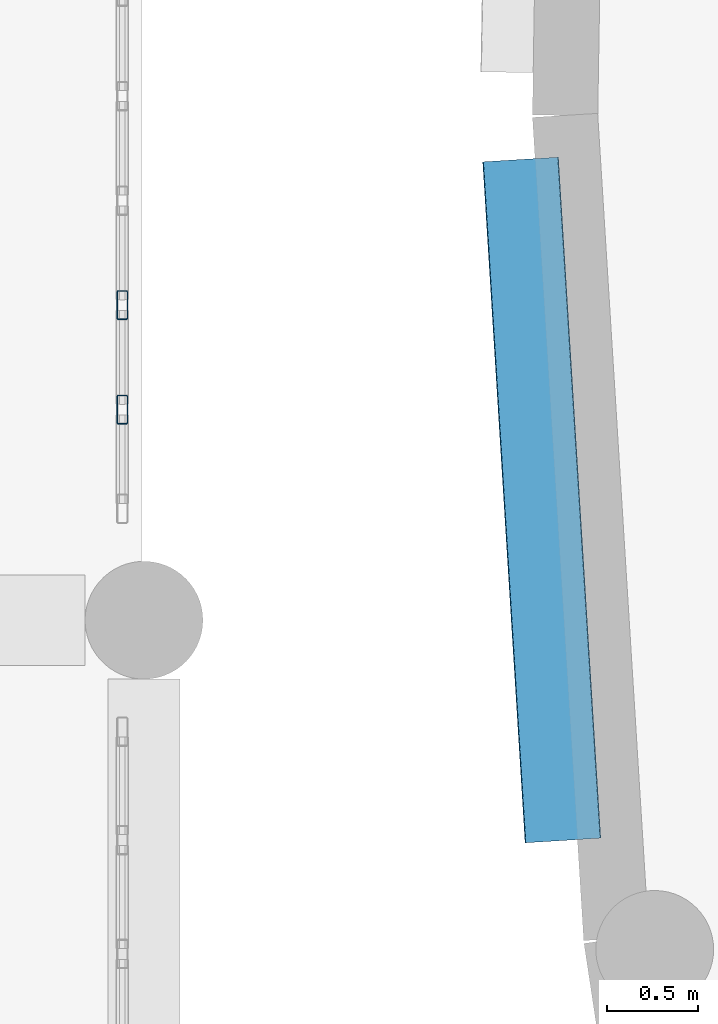
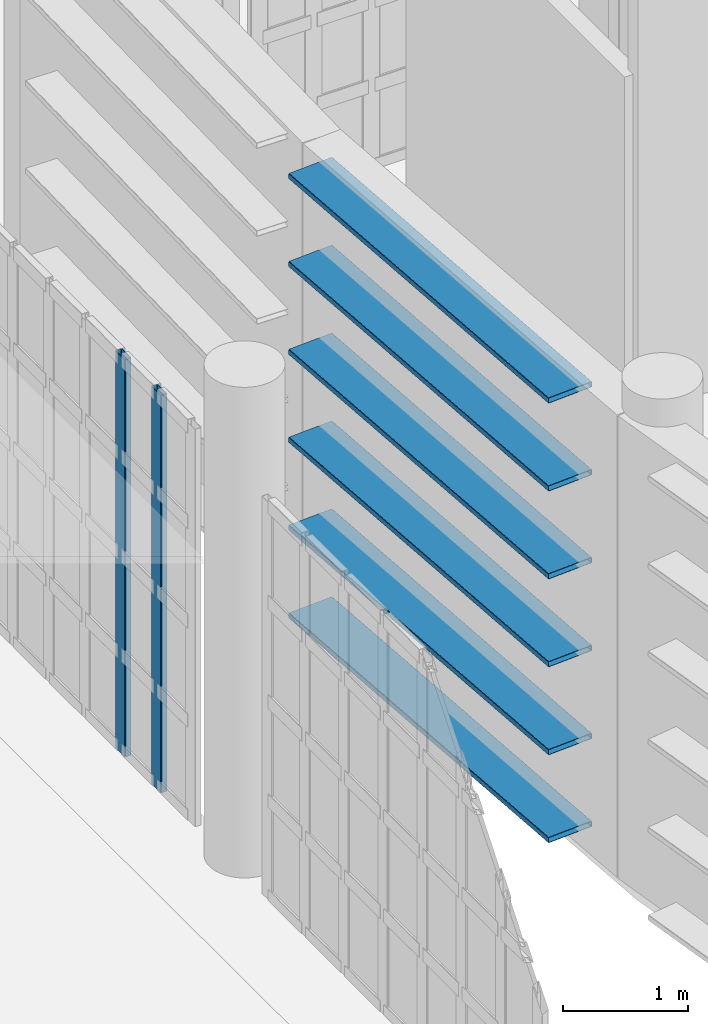
# One storey, part 26 of 104: 8 members, 1 element without a shape of its own.
"""IFC4 building model written with IfcOpenShell, lengths in metres."""

from ifc_helpers import new_model, si_unit, direction, frame, origin, origin_2d, place, context, subcontext, project, spatial, hollow_rectangle, extrude, material, material_profile, profile_set, type_object, element, aggregate, save


model = new_model("IFC4")

# Units and contexts
model_context = context("Model", 3, precision=1e-05, world=origin(), true_north=direction((0.0, 1.0)))
body_context = subcontext(model_context, "Body", "Model", "MODEL_VIEW")
ifc_project = project(units=[si_unit("LENGTHUNIT", "METRE"), si_unit("AREAUNIT", "SQUARE_METRE"), si_unit("VOLUMEUNIT", "CUBIC_METRE"), si_unit("PLANEANGLEUNIT", "RADIAN"), si_unit("MASSUNIT", "GRAM", prefix="KILO")], contexts=[model_context])

# Site, building, storey
site_placement = place(None, origin())
site = spatial("IfcSite", under=ifc_project, at=site_placement, CompositionType="ELEMENT")
building_placement = place(site_placement, origin())
building = spatial("IfcBuilding", under=site, at=building_placement, Name="Kaelora Sail Theatre", CompositionType="ELEMENT")
storey_placement = place(building_placement, frame((0.0, 0.0, 5.39990234375)))
storey = spatial("IfcBuildingStorey", under=building, at=storey_placement, Name="L01", CompositionType="ELEMENT", Elevation=5.39990234375)

# Members
ifc_material_1 = material(Name="Anodised aluminium 6063-T6", Category="aluminium")
ifc_material_profile_1 = material_profile(ifc_material_1, hollow_rectangle(XDim=0.419921875, YDim=0.054931640625, WallThickness=0.00390625, InnerFilletRadius=0.00390625, OuterFilletRadius=0.008056640625, at=origin_2d()), Name="LOUVRE 420x55x4")
ifc_profile_set_1 = profile_set([ifc_material_profile_1], Name="Anodised aluminium 6063-T6")
member_type_1 = type_object("IfcMemberType", Name="ARC-MEM-LVR-420", PredefinedType="USERDEFINED", material=ifc_profile_set_1)
for number, where, z_axis, x_axis, name in (
    (1, (76.7109375, 52.364990234375, 0.150146484375), (-0.062079432588, 0.998071211913, 0.0), (-0.998071211913, -0.062079432588, 0.0), "Studio Theatre Sail Drum horizontal solar louvre C19-06"),
    (2, (76.7109375, 52.364990234375, 1.010009765625), (-0.062079432588, 0.998071211913, 0.0), (-0.998071211913, -0.062079432588, 0.0), "Studio Theatre Sail Drum horizontal solar louvre C19-07"),
    (3, (76.7109375, 52.364990234375, 1.8701171875), (-0.062079432588, 0.998071211913, 0.0), (-0.998071211913, -0.062079432588, 0.0), "Studio Theatre Sail Drum horizontal solar louvre C19-08"),
    (4, (76.7109375, 52.364990234375, 2.72998046875), (-0.062079432588, 0.998071211913, 0.0), (-0.998071211913, -0.062079432588, 0.0), "Studio Theatre Sail Drum horizontal solar louvre C19-09"),
    (5, (76.7109375, 52.364990234375, 3.590087890625), (-0.062079432588, 0.998071211913, 0.0), (-0.998071211913, -0.062079432588, 0.0), "Studio Theatre Sail Drum horizontal solar louvre C19-10"),
    (6, (76.7109375, 52.364990234375, 4.4501953125), (-0.062079432588, 0.998071211913, 0.0), (-0.998071211913, -0.062079432588, 0.0), "Studio Theatre Sail Drum horizontal solar louvre C19-11"),
):
    element("IfcMember", number, at=place(storey_placement, frame(where, z_axis=z_axis, x_axis=x_axis)), inside=storey, type_object=member_type_1, Name=name, ObjectType="LOUVRE", PredefinedType="USERDEFINED", context=body_context, shape_type="SweptSolid", body=[
        extrude(hollow_rectangle(XDim=0.419921875, YDim=0.054931640625, WallThickness=0.00390625, InnerFilletRadius=0.00390625, OuterFilletRadius=0.008056640625, at=origin_2d()), origin(), (0.0, 0.0, 1.0), 3.763671875),
    ])

# Curtain wall, members
ifc_material_2 = material(Name="Anodised aluminium and solar-control low-E IGU", Category="aluminium")
curtain_wall_type = type_object("IfcCurtainWallType", Name="ARC-CW-CW-FOY2", PredefinedType="NOTDEFINED", material=ifc_material_2)
curtain_wall_placement = place(storey_placement, origin())
curtain_wall = element("IfcCurtainWall", 7, at=curtain_wall_placement, inside=storey, type_object=curtain_wall_type, Name="West Interstitial Foyer East Glazed Return L01-03", PredefinedType="NOTDEFINED")
ifc_material_3 = material(Name="Anodised aluminium 6063-T6", Category="aluminium")
ifc_material_profile_2 = material_profile(ifc_material_3, hollow_rectangle(XDim=0.06005859375, YDim=0.159912109375, WallThickness=0.00390625, InnerFilletRadius=0.00390625, OuterFilletRadius=0.008056640625, at=origin_2d()), Name="ALU-MULL 60x160x4")
ifc_profile_set_2 = profile_set([ifc_material_profile_2], Name="Anodised aluminium 6063-T6")
member_type_2 = type_object("IfcMemberType", Name="ARC-MEM-ML-160", PredefinedType="MULLION", material=ifc_profile_set_2)
member_1_placement = place(storey_placement, frame((74.280029296875, 54.741455078125, 0.0), z_axis=(0.0, 0.0, 1.0), x_axis=(-1.0, 0.0, 0.0)))
member_1 = element("IfcMember", 8, at=member_1_placement, type_object=member_type_2, Name="CW-FOY2 mullion 2", PredefinedType="MULLION", context=body_context, shape_type="SweptSolid", body=[
    extrude(hollow_rectangle(XDim=0.06005859375, YDim=0.159912109375, WallThickness=0.00390625, InnerFilletRadius=0.00390625, OuterFilletRadius=0.008056640625, at=origin_2d()), origin(), (0.0, 0.0, 1.0), 3.88720703125),
])
member_2_placement = place(storey_placement, frame((74.280029296875, 55.31787109375, 0.0), z_axis=(0.0, 0.0, 1.0), x_axis=(-1.0, 0.0, 0.0)))
member_2 = element("IfcMember", 9, at=member_2_placement, type_object=member_type_2, Name="CW-FOY2 mullion 3", PredefinedType="MULLION", context=body_context, shape_type="SweptSolid", body=[
    extrude(hollow_rectangle(XDim=0.06005859375, YDim=0.159912109375, WallThickness=0.00390625, InnerFilletRadius=0.00390625, OuterFilletRadius=0.008056640625, at=origin_2d()), origin(), (0.0, 0.0, 1.0), 3.88720703125),
])
aggregate(curtain_wall, [member_1, member_2])

save(model, "model.ifc")
